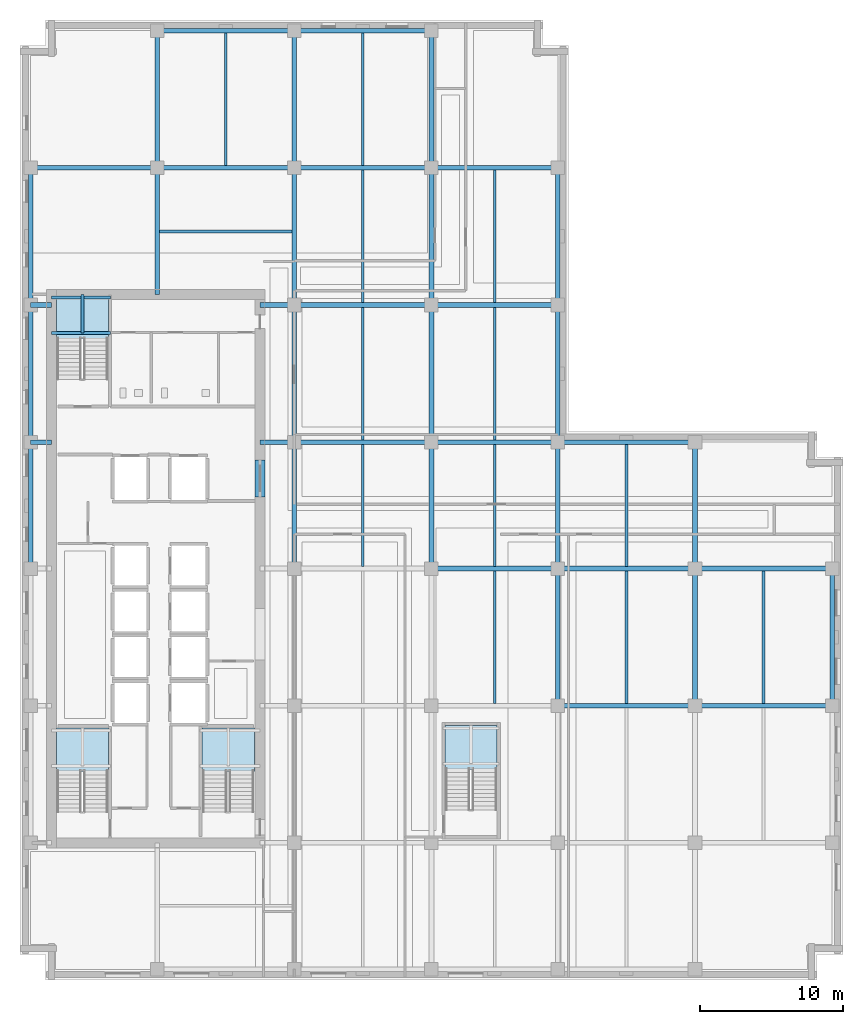
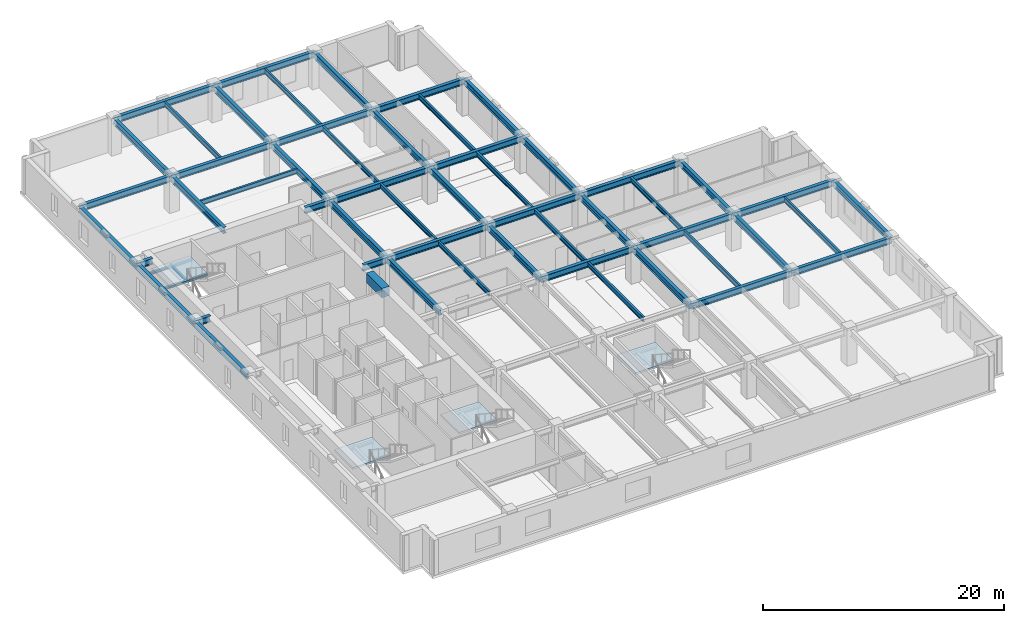
# One storey, part 2 of 14: 57 beams, 4 slabs, 4 elements without a shape of their own.
"""IFC4 building model written with IfcOpenShell, lengths in metres."""

from ifc_helpers import new_model, si_unit, direction, frame, origin, origin_2d, place, context, subcontext, project, spatial, polyline, rectangle, i_section, outline, extrude, material, layer, layer_set, material_profile, profile_set, type_object, element, aggregate, save


model = new_model("IFC4")

# Units and contexts
model_context = context("Model", 3, precision=1e-05, world=origin(), true_north=direction((0.0, 1.0)))
body_context = subcontext(model_context, "Body", "Model", "MODEL_VIEW")
ifc_project = project(units=[si_unit("LENGTHUNIT", "METRE"), si_unit("AREAUNIT", "SQUARE_METRE"), si_unit("VOLUMEUNIT", "CUBIC_METRE"), si_unit("PLANEANGLEUNIT", "RADIAN"), si_unit("MASSUNIT", "GRAM", prefix="KILO")], contexts=[model_context])

# Site, building, storey
site_placement = place(None, origin())
site = spatial("IfcSite", under=ifc_project, at=site_placement, CompositionType="ELEMENT")
building_placement = place(site_placement, origin())
building = spatial("IfcBuilding", under=site, at=building_placement, Name="Norrvale University Quadrangle", CompositionType="ELEMENT")
storey_placement = place(building_placement, frame((0.0, 0.0, 156.0)))
storey = spatial("IfcBuildingStorey", under=building, at=storey_placement, Name="L39", CompositionType="ELEMENT", Elevation=156.0)

# Beams
ifc_material_1 = material(Name="Steel 350W", Category="steel")
ifc_material_profile_1 = material_profile(ifc_material_1, i_section(OverallWidth=0.324951171875, OverallDepth=0.615966796875, WebThickness=0.013916015625, FlangeThickness=0.021484375, FilletRadius=0.01611328125, at=origin_2d()), Name="Steel 350W")
ifc_profile_set_1 = profile_set([ifc_material_profile_1], Name="Steel 350W")
beam_type_1 = type_object("IfcBeamType", Name="Beam Belt W610x174", PredefinedType="BEAM", material=ifc_profile_set_1)
for number, where, z_axis, x_axis, name in (
    (1, (37.64990234375, 19.199951171875, 3.23193359375), (1.0, 0.0, 0.0), (0.0, 1.0, 0.0), "Beam Belt W610x174 BM-L39-GX011"),
    (2, (47.25, 19.199951171875, 3.23193359375), (1.0, 0.0, 0.0), (0.0, 1.0, 0.0), "Beam Belt W610x174 BM-L39-GX012"),
):
    element("IfcBeam", number, at=place(storey_placement, frame(where, z_axis=z_axis, x_axis=x_axis)), inside=storey, type_object=beam_type_1, Name=name, PredefinedType="BEAM", context=body_context, shape_type="SweptSolid", body=[
        extrude(i_section(OverallWidth=0.324951171875, OverallDepth=0.615966796875, WebThickness=0.013916015625, FlangeThickness=0.021484375, FilletRadius=0.01611328125, at=origin_2d()), origin(), (0.0, 0.0, 1.0), 9.60009765625),
    ])
beam_1_placement = place(storey_placement, frame((28.800048828125, 28.800048828125, 3.23193359375), z_axis=(1.0, 0.0, 0.0), x_axis=(0.0, 1.0, 0.0)))
element("IfcBeam", 3, at=beam_1_placement, inside=storey, type_object=beam_type_1, Name="Beam Belt W610x174 BM-L39-GX014", PredefinedType="BEAM", context=body_context, shape_type="SweptSolid", body=[
    extrude(i_section(OverallWidth=0.324951171875, OverallDepth=0.615966796875, WebThickness=0.013916015625, FlangeThickness=0.021484375, FilletRadius=0.01611328125, at=origin_2d()), origin(), (0.0, 0.0, 1.0), 8.849853515625),
])
for number, where, z_axis, x_axis, name in (
    (4, (37.64990234375, 28.800048828125, 3.23193359375), (1.0, 0.0, 0.0), (0.0, 1.0, 0.0), "Beam Belt W610x174 BM-L39-GX015"),
    (5, (47.25, 28.800048828125, 3.23193359375), (1.0, 0.0, 0.0), (0.0, 1.0, 0.0), "Beam Belt W610x174 BM-L39-GX016"),
    (6, (19.199951171875, 37.64990234375, 3.23193359375), (1.0, 0.0, 0.0), (0.0, 1.0, 0.0), "Beam Belt W610x174 BM-L39-GX017"),
):
    element("IfcBeam", number, at=place(storey_placement, frame(where, z_axis=z_axis, x_axis=x_axis)), inside=storey, type_object=beam_type_1, Name=name, PredefinedType="BEAM", context=body_context, shape_type="SweptSolid", body=[
        extrude(i_section(OverallWidth=0.324951171875, OverallDepth=0.615966796875, WebThickness=0.013916015625, FlangeThickness=0.021484375, FilletRadius=0.01611328125, at=origin_2d()), origin(), (0.0, 0.0, 1.0), 9.60009765625),
    ])
beam_2_placement = place(storey_placement, frame((28.800048828125, 37.64990234375, 3.23193359375), z_axis=(1.0, 0.0, 0.0), x_axis=(0.0, 1.0, 0.0)))
element("IfcBeam", 7, at=beam_2_placement, inside=storey, type_object=beam_type_1, Name="Beam Belt W610x174 BM-L39-GX018", PredefinedType="BEAM", context=body_context, shape_type="SweptSolid", body=[
    extrude(i_section(OverallWidth=0.324951171875, OverallDepth=0.615966796875, WebThickness=0.013916015625, FlangeThickness=0.021484375, FilletRadius=0.01611328125, at=origin_2d()), origin(), (0.0, 0.0, 1.0), 8.849853515625),
])
for number, where, z_axis, x_axis, name in (
    (8, (37.64990234375, 37.64990234375, 3.23193359375), (1.0, 0.0, 0.0), (0.0, 1.0, 0.0), "Beam Belt W610x174 BM-L39-GX019"),
    (9, (19.199951171875, 47.25, 3.23193359375), (1.0, 0.0, 0.0), (0.0, 1.0, 0.0), "Beam Belt W610x174 BM-L39-GX020"),
):
    element("IfcBeam", number, at=place(storey_placement, frame(where, z_axis=z_axis, x_axis=x_axis)), inside=storey, type_object=beam_type_1, Name=name, PredefinedType="BEAM", context=body_context, shape_type="SweptSolid", body=[
        extrude(i_section(OverallWidth=0.324951171875, OverallDepth=0.615966796875, WebThickness=0.013916015625, FlangeThickness=0.021484375, FilletRadius=0.01611328125, at=origin_2d()), origin(), (0.0, 0.0, 1.0), 9.60009765625),
    ])
beam_3_placement = place(storey_placement, frame((28.800048828125, 47.25, 3.23193359375), z_axis=(1.0, 0.0, 0.0), x_axis=(0.0, 1.0, 0.0)))
element("IfcBeam", 10, at=beam_3_placement, inside=storey, type_object=beam_type_1, Name="Beam Belt W610x174 BM-L39-GX021", PredefinedType="BEAM", context=body_context, shape_type="SweptSolid", body=[
    extrude(i_section(OverallWidth=0.324951171875, OverallDepth=0.615966796875, WebThickness=0.013916015625, FlangeThickness=0.021484375, FilletRadius=0.01611328125, at=origin_2d()), origin(), (0.0, 0.0, 1.0), 8.849853515625),
])
beam_4_placement = place(storey_placement, frame((0.75, 56.85009765625, 3.23193359375), z_axis=(1.0, 0.0, 0.0), x_axis=(0.0, 1.0, 0.0)))
element("IfcBeam", 11, at=beam_4_placement, inside=storey, type_object=beam_type_1, Name="Beam Belt W610x174 BM-L39-GX022", PredefinedType="BEAM", context=body_context, shape_type="SweptSolid", body=[
    extrude(i_section(OverallWidth=0.324951171875, OverallDepth=0.615966796875, WebThickness=0.013916015625, FlangeThickness=0.021484375, FilletRadius=0.01611328125, at=origin_2d()), origin(), (0.0, 0.0, 1.0), 8.85009765625),
])
beam_5_placement = place(storey_placement, frame((9.60009765625, 56.85009765625, 3.23193359375), z_axis=(1.0, 0.0, 0.0), x_axis=(0.0, 1.0, 0.0)))
element("IfcBeam", 12, at=beam_5_placement, inside=storey, type_object=beam_type_1, Name="Beam Belt W610x174 BM-L39-GX023", PredefinedType="BEAM", context=body_context, shape_type="SweptSolid", body=[
    extrude(i_section(OverallWidth=0.324951171875, OverallDepth=0.615966796875, WebThickness=0.013916015625, FlangeThickness=0.021484375, FilletRadius=0.01611328125, at=origin_2d()), origin(), (0.0, 0.0, 1.0), 9.599853515625),
])
beam_6_placement = place(storey_placement, frame((19.199951171875, 56.85009765625, 3.23193359375), z_axis=(1.0, 0.0, 0.0), x_axis=(0.0, 1.0, 0.0)))
element("IfcBeam", 13, at=beam_6_placement, inside=storey, type_object=beam_type_1, Name="Beam Belt W610x174 BM-L39-GX024", PredefinedType="BEAM", context=body_context, shape_type="SweptSolid", body=[
    extrude(i_section(OverallWidth=0.324951171875, OverallDepth=0.615966796875, WebThickness=0.013916015625, FlangeThickness=0.021484375, FilletRadius=0.01611328125, at=origin_2d()), origin(), (0.0, 0.0, 1.0), 9.60009765625),
])
beam_7_placement = place(storey_placement, frame((28.800048828125, 56.85009765625, 3.23193359375), z_axis=(1.0, 0.0, 0.0), x_axis=(0.0, 1.0, 0.0)))
element("IfcBeam", 14, at=beam_7_placement, inside=storey, type_object=beam_type_1, Name="Beam Belt W610x174 BM-L39-GX025", PredefinedType="BEAM", context=body_context, shape_type="SweptSolid", body=[
    extrude(i_section(OverallWidth=0.324951171875, OverallDepth=0.615966796875, WebThickness=0.013916015625, FlangeThickness=0.021484375, FilletRadius=0.01611328125, at=origin_2d()), origin(), (0.0, 0.0, 1.0), 8.849853515625),
])
beam_8_placement = place(storey_placement, frame((9.60009765625, 66.449951171875, 3.23193359375), z_axis=(1.0, 0.0, 0.0), x_axis=(0.0, 1.0, 0.0)))
element("IfcBeam", 15, at=beam_8_placement, inside=storey, type_object=beam_type_1, Name="Beam Belt W610x174 BM-L39-GX026", PredefinedType="BEAM", context=body_context, shape_type="SweptSolid", body=[
    extrude(i_section(OverallWidth=0.324951171875, OverallDepth=0.615966796875, WebThickness=0.013916015625, FlangeThickness=0.021484375, FilletRadius=0.01611328125, at=origin_2d()), origin(), (0.0, 0.0, 1.0), 9.599853515625),
])
beam_9_placement = place(storey_placement, frame((19.199951171875, 66.449951171875, 3.23193359375), z_axis=(1.0, 0.0, 0.0), x_axis=(0.0, 1.0, 0.0)))
element("IfcBeam", 16, at=beam_9_placement, inside=storey, type_object=beam_type_1, Name="Beam Belt W610x174 BM-L39-GX027", PredefinedType="BEAM", context=body_context, shape_type="SweptSolid", body=[
    extrude(i_section(OverallWidth=0.324951171875, OverallDepth=0.615966796875, WebThickness=0.013916015625, FlangeThickness=0.021484375, FilletRadius=0.01611328125, at=origin_2d()), origin(), (0.0, 0.0, 1.0), 9.60009765625),
])
beam_10_placement = place(storey_placement, frame((0.75, 28.800048828125, 3.23193359375), z_axis=(0.0, 1.0, 0.0), x_axis=(-1.0, 0.0, 0.0)))
element("IfcBeam", 17, at=beam_10_placement, inside=storey, type_object=beam_type_1, Name="Beam Belt W610x174 BM-L39-GY030", PredefinedType="BEAM", context=body_context, shape_type="SweptSolid", body=[
    extrude(i_section(OverallWidth=0.324951171875, OverallDepth=0.615966796875, WebThickness=0.013916015625, FlangeThickness=0.021484375, FilletRadius=0.01611328125, at=origin_2d()), origin(), (0.0, 0.0, 1.0), 8.849853515625),
])
for number, where, z_axis, x_axis, name in (
    (18, (0.75, 37.64990234375, 3.23193359375), (0.0, 1.0, 0.0), (-1.0, 0.0, 0.0), "Beam Belt W610x174 BM-L39-GY031"),
    (19, (0.75, 47.25, 3.23193359375), (0.0, 1.0, 0.0), (-1.0, 0.0, 0.0), "Beam Belt W610x174 BM-L39-GY032"),
):
    element("IfcBeam", number, at=place(storey_placement, frame(where, z_axis=z_axis, x_axis=x_axis)), inside=storey, type_object=beam_type_1, Name=name, PredefinedType="BEAM", context=body_context, shape_type="SweptSolid", body=[
        extrude(i_section(OverallWidth=0.324951171875, OverallDepth=0.615966796875, WebThickness=0.013916015625, FlangeThickness=0.021484375, FilletRadius=0.01611328125, at=origin_2d()), origin(), (0.0, 0.0, 1.0), 9.60009765625),
    ])
beam_11_placement = place(storey_placement, frame((9.60009765625, 56.85009765625, 3.23193359375), z_axis=(0.0, 1.0, 0.0), x_axis=(-1.0, 0.0, 0.0)))
element("IfcBeam", 20, at=beam_11_placement, inside=storey, type_object=beam_type_1, Name="Beam Belt W610x174 BM-L39-GY033", PredefinedType="BEAM", context=body_context, shape_type="SweptSolid", body=[
    extrude(i_section(OverallWidth=0.324951171875, OverallDepth=0.615966796875, WebThickness=0.013916015625, FlangeThickness=0.021484375, FilletRadius=0.01611328125, at=origin_2d()), origin(), (0.0, 0.0, 1.0), 9.599853515625),
])
beam_12_placement = place(storey_placement, frame((19.199951171875, 28.800048828125, 3.23193359375), z_axis=(0.0, 1.0, 0.0), x_axis=(-1.0, 0.0, 0.0)))
element("IfcBeam", 21, at=beam_12_placement, inside=storey, type_object=beam_type_1, Name="Beam Belt W610x174 BM-L39-GY037", PredefinedType="BEAM", context=body_context, shape_type="SweptSolid", body=[
    extrude(i_section(OverallWidth=0.324951171875, OverallDepth=0.615966796875, WebThickness=0.013916015625, FlangeThickness=0.021484375, FilletRadius=0.01611328125, at=origin_2d()), origin(), (0.0, 0.0, 1.0), 8.849853515625),
])
for number, where, z_axis, x_axis, name in (
    (22, (19.199951171875, 37.64990234375, 3.23193359375), (0.0, 1.0, 0.0), (-1.0, 0.0, 0.0), "Beam Belt W610x174 BM-L39-GY038"),
    (23, (19.199951171875, 47.25, 3.23193359375), (0.0, 1.0, 0.0), (-1.0, 0.0, 0.0), "Beam Belt W610x174 BM-L39-GY039"),
):
    element("IfcBeam", number, at=place(storey_placement, frame(where, z_axis=z_axis, x_axis=x_axis)), inside=storey, type_object=beam_type_1, Name=name, PredefinedType="BEAM", context=body_context, shape_type="SweptSolid", body=[
        extrude(i_section(OverallWidth=0.324951171875, OverallDepth=0.615966796875, WebThickness=0.013916015625, FlangeThickness=0.021484375, FilletRadius=0.01611328125, at=origin_2d()), origin(), (0.0, 0.0, 1.0), 9.60009765625),
    ])
beam_13_placement = place(storey_placement, frame((19.199951171875, 56.85009765625, 3.23193359375), z_axis=(0.0, 1.0, 0.0), x_axis=(-1.0, 0.0, 0.0)))
element("IfcBeam", 24, at=beam_13_placement, inside=storey, type_object=beam_type_1, Name="Beam Belt W610x174 BM-L39-GY040", PredefinedType="BEAM", context=body_context, shape_type="SweptSolid", body=[
    extrude(i_section(OverallWidth=0.324951171875, OverallDepth=0.615966796875, WebThickness=0.013916015625, FlangeThickness=0.021484375, FilletRadius=0.01611328125, at=origin_2d()), origin(), (0.0, 0.0, 1.0), 9.599853515625),
])
beam_14_placement = place(storey_placement, frame((28.800048828125, 28.800048828125, 3.23193359375), z_axis=(0.0, 1.0, 0.0), x_axis=(-1.0, 0.0, 0.0)))
element("IfcBeam", 25, at=beam_14_placement, inside=storey, type_object=beam_type_1, Name="Beam Belt W610x174 BM-L39-GY044", PredefinedType="BEAM", context=body_context, shape_type="SweptSolid", body=[
    extrude(i_section(OverallWidth=0.324951171875, OverallDepth=0.615966796875, WebThickness=0.013916015625, FlangeThickness=0.021484375, FilletRadius=0.01611328125, at=origin_2d()), origin(), (0.0, 0.0, 1.0), 8.849853515625),
])
for number, where, z_axis, x_axis, name in (
    (26, (28.800048828125, 37.64990234375, 3.23193359375), (0.0, 1.0, 0.0), (-1.0, 0.0, 0.0), "Beam Belt W610x174 BM-L39-GY045"),
    (27, (28.800048828125, 47.25, 3.23193359375), (0.0, 1.0, 0.0), (-1.0, 0.0, 0.0), "Beam Belt W610x174 BM-L39-GY046"),
):
    element("IfcBeam", number, at=place(storey_placement, frame(where, z_axis=z_axis, x_axis=x_axis)), inside=storey, type_object=beam_type_1, Name=name, PredefinedType="BEAM", context=body_context, shape_type="SweptSolid", body=[
        extrude(i_section(OverallWidth=0.324951171875, OverallDepth=0.615966796875, WebThickness=0.013916015625, FlangeThickness=0.021484375, FilletRadius=0.01611328125, at=origin_2d()), origin(), (0.0, 0.0, 1.0), 9.60009765625),
    ])
beam_15_placement = place(storey_placement, frame((28.800048828125, 56.85009765625, 3.23193359375), z_axis=(0.0, 1.0, 0.0), x_axis=(-1.0, 0.0, 0.0)))
element("IfcBeam", 28, at=beam_15_placement, inside=storey, type_object=beam_type_1, Name="Beam Belt W610x174 BM-L39-GY047", PredefinedType="BEAM", context=body_context, shape_type="SweptSolid", body=[
    extrude(i_section(OverallWidth=0.324951171875, OverallDepth=0.615966796875, WebThickness=0.013916015625, FlangeThickness=0.021484375, FilletRadius=0.01611328125, at=origin_2d()), origin(), (0.0, 0.0, 1.0), 9.599853515625),
])
beam_16_placement = place(storey_placement, frame((37.64990234375, 19.199951171875, 3.23193359375), z_axis=(0.0, 1.0, 0.0), x_axis=(-1.0, 0.0, 0.0)))
element("IfcBeam", 29, at=beam_16_placement, inside=storey, type_object=beam_type_1, Name="Beam Belt W610x174 BM-L39-GY050", PredefinedType="BEAM", context=body_context, shape_type="SweptSolid", body=[
    extrude(i_section(OverallWidth=0.324951171875, OverallDepth=0.615966796875, WebThickness=0.013916015625, FlangeThickness=0.021484375, FilletRadius=0.01611328125, at=origin_2d()), origin(), (0.0, 0.0, 1.0), 9.60009765625),
])
beam_17_placement = place(storey_placement, frame((37.64990234375, 28.800048828125, 3.23193359375), z_axis=(0.0, 1.0, 0.0), x_axis=(-1.0, 0.0, 0.0)))
element("IfcBeam", 30, at=beam_17_placement, inside=storey, type_object=beam_type_1, Name="Beam Belt W610x174 BM-L39-GY051", PredefinedType="BEAM", context=body_context, shape_type="SweptSolid", body=[
    extrude(i_section(OverallWidth=0.324951171875, OverallDepth=0.615966796875, WebThickness=0.013916015625, FlangeThickness=0.021484375, FilletRadius=0.01611328125, at=origin_2d()), origin(), (0.0, 0.0, 1.0), 8.849853515625),
])
for number, where, z_axis, x_axis, name in (
    (31, (37.64990234375, 37.64990234375, 3.23193359375), (0.0, 1.0, 0.0), (-1.0, 0.0, 0.0), "Beam Belt W610x174 BM-L39-GY052"),
    (32, (37.64990234375, 47.25, 3.23193359375), (0.0, 1.0, 0.0), (-1.0, 0.0, 0.0), "Beam Belt W610x174 BM-L39-GY053"),
    (33, (47.25, 19.199951171875, 3.23193359375), (0.0, 1.0, 0.0), (-1.0, 0.0, 0.0), "Beam Belt W610x174 BM-L39-GY056"),
):
    element("IfcBeam", number, at=place(storey_placement, frame(where, z_axis=z_axis, x_axis=x_axis)), inside=storey, type_object=beam_type_1, Name=name, PredefinedType="BEAM", context=body_context, shape_type="SweptSolid", body=[
        extrude(i_section(OverallWidth=0.324951171875, OverallDepth=0.615966796875, WebThickness=0.013916015625, FlangeThickness=0.021484375, FilletRadius=0.01611328125, at=origin_2d()), origin(), (0.0, 0.0, 1.0), 9.60009765625),
    ])
beam_18_placement = place(storey_placement, frame((47.25, 28.800048828125, 3.23193359375), z_axis=(0.0, 1.0, 0.0), x_axis=(-1.0, 0.0, 0.0)))
element("IfcBeam", 34, at=beam_18_placement, inside=storey, type_object=beam_type_1, Name="Beam Belt W610x174 BM-L39-GY057", PredefinedType="BEAM", context=body_context, shape_type="SweptSolid", body=[
    extrude(i_section(OverallWidth=0.324951171875, OverallDepth=0.615966796875, WebThickness=0.013916015625, FlangeThickness=0.021484375, FilletRadius=0.01611328125, at=origin_2d()), origin(), (0.0, 0.0, 1.0), 8.849853515625),
])
beam_19_placement = place(storey_placement, frame((56.85009765625, 19.199951171875, 3.23193359375), z_axis=(0.0, 1.0, 0.0), x_axis=(-1.0, 0.0, 0.0)))
element("IfcBeam", 35, at=beam_19_placement, inside=storey, type_object=beam_type_1, Name="Beam Belt W610x174 BM-L39-GY059", PredefinedType="BEAM", context=body_context, shape_type="SweptSolid", body=[
    extrude(i_section(OverallWidth=0.324951171875, OverallDepth=0.615966796875, WebThickness=0.013916015625, FlangeThickness=0.021484375, FilletRadius=0.01611328125, at=origin_2d()), origin(), (0.0, 0.0, 1.0), 9.60009765625),
])
beam_20_placement = place(storey_placement, frame((0.75, 37.64990234375, 3.23193359375), z_axis=(1.0, 0.0, 0.0), x_axis=(0.0, 1.0, 0.0)))
element("IfcBeam", 36, at=beam_20_placement, inside=storey, type_object=beam_type_1, Name="Beam Belt W610x174 BM-L39-GCW066", PredefinedType="BEAM", context=body_context, shape_type="SweptSolid", body=[
    extrude(i_section(OverallWidth=0.324951171875, OverallDepth=0.615966796875, WebThickness=0.013916015625, FlangeThickness=0.021484375, FilletRadius=0.01611328125, at=origin_2d()), origin(), (0.0, 0.0, 1.0), 1.449951171875),
])
beam_21_placement = place(storey_placement, frame((16.800048828125, 37.64990234375, 3.23193359375), z_axis=(1.0, 0.0, 0.0), x_axis=(0.0, 1.0, 0.0)))
element("IfcBeam", 37, at=beam_21_placement, inside=storey, type_object=beam_type_1, Name="Beam Belt W610x174 BM-L39-GCE067", PredefinedType="BEAM", context=body_context, shape_type="SweptSolid", body=[
    extrude(i_section(OverallWidth=0.324951171875, OverallDepth=0.615966796875, WebThickness=0.013916015625, FlangeThickness=0.021484375, FilletRadius=0.01611328125, at=origin_2d()), origin(), (0.0, 0.0, 1.0), 2.39990234375),
])
beam_22_placement = place(storey_placement, frame((0.75, 47.25, 3.23193359375), z_axis=(1.0, 0.0, 0.0), x_axis=(0.0, 1.0, 0.0)))
element("IfcBeam", 38, at=beam_22_placement, inside=storey, type_object=beam_type_1, Name="Beam Belt W610x174 BM-L39-GCW068", PredefinedType="BEAM", context=body_context, shape_type="SweptSolid", body=[
    extrude(i_section(OverallWidth=0.324951171875, OverallDepth=0.615966796875, WebThickness=0.013916015625, FlangeThickness=0.021484375, FilletRadius=0.01611328125, at=origin_2d()), origin(), (0.0, 0.0, 1.0), 1.449951171875),
])
beam_23_placement = place(storey_placement, frame((16.800048828125, 47.25, 3.23193359375), z_axis=(1.0, 0.0, 0.0), x_axis=(0.0, 1.0, 0.0)))
element("IfcBeam", 39, at=beam_23_placement, inside=storey, type_object=beam_type_1, Name="Beam Belt W610x174 BM-L39-GCE069", PredefinedType="BEAM", context=body_context, shape_type="SweptSolid", body=[
    extrude(i_section(OverallWidth=0.324951171875, OverallDepth=0.615966796875, WebThickness=0.013916015625, FlangeThickness=0.021484375, FilletRadius=0.01611328125, at=origin_2d()), origin(), (0.0, 0.0, 1.0), 2.39990234375),
])
beam_24_placement = place(storey_placement, frame((9.60009765625, 48.0, 3.23193359375), z_axis=(0.0, 1.0, 0.0), x_axis=(-1.0, 0.0, 0.0)))
element("IfcBeam", 40, at=beam_24_placement, inside=storey, type_object=beam_type_1, Name="Beam Belt W610x174 BM-L39-GCN091", PredefinedType="BEAM", context=body_context, shape_type="SweptSolid", body=[
    extrude(i_section(OverallWidth=0.324951171875, OverallDepth=0.615966796875, WebThickness=0.013916015625, FlangeThickness=0.021484375, FilletRadius=0.01611328125, at=origin_2d()), origin(), (0.0, 0.0, 1.0), 8.85009765625),
])
ifc_material_2 = material(Name="Concrete C80/95", Category="concrete")
ifc_material_profile_2 = material_profile(ifc_material_2, rectangle(XDim=0.699951171875, YDim=0.949951171875, at=origin_2d()), Name="Concrete C80/95")
ifc_profile_set_2 = profile_set([ifc_material_profile_2], Name="Concrete C80/95")
beam_type_2 = type_object("IfcBeamType", Name="Beam Core Link 700x950", PredefinedType="LINTEL", material=ifc_profile_set_2)
beam_25_placement = place(storey_placement, frame((16.800048828125, 33.800048828125, 3.06494140625), z_axis=(0.0, 1.0, 0.0), x_axis=(-1.0, 0.0, 0.0)))
element("IfcBeam", 41, at=beam_25_placement, inside=storey, type_object=beam_type_2, Name="Core Coupling Lintel Beam L39-2", PredefinedType="LINTEL", context=body_context, shape_type="SweptSolid", body=[
    extrude(rectangle(XDim=0.699951171875, YDim=0.949951171875, at=origin_2d()), origin(), (0.0, 0.0, 1.0), 2.599853515625),
])
ifc_material_profile_3 = material_profile(ifc_material_1, i_section(OverallWidth=0.194091796875, OverallDepth=0.468994140625, WebThickness=0.0126953125, FlangeThickness=0.0205078125, FilletRadius=0.012939453125, at=origin_2d()), Name="Steel 350W")
ifc_profile_set_3 = profile_set([ifc_material_profile_3], Name="Steel 350W")
beam_type_3 = type_object("IfcBeamType", Name="Beam Floor W460x106", PredefinedType="BEAM", material=ifc_profile_set_3)
beam_26_placement = place(storey_placement, frame((14.39990234375, 57.012451171875, 3.305419921875), z_axis=(0.0, 1.0, 0.0), x_axis=(-1.0, 0.0, 0.0)))
element("IfcBeam", 42, at=beam_26_placement, inside=storey, type_object=beam_type_3, Name="Beam Floor W460x106 BM-L39-J070", PredefinedType="BEAM", context=body_context, shape_type="SweptSolid", body=[
    extrude(i_section(OverallWidth=0.194091796875, OverallDepth=0.468994140625, WebThickness=0.0126953125, FlangeThickness=0.0205078125, FilletRadius=0.012939453125, at=origin_2d()), origin(), (0.0, 0.0, 1.0), 9.275146484375),
])
beam_27_placement = place(storey_placement, frame((24.0, 28.96240234375, 3.305419921875), z_axis=(0.0, 1.0, 0.0), x_axis=(-1.0, 0.0, 0.0)))
element("IfcBeam", 43, at=beam_27_placement, inside=storey, type_object=beam_type_3, Name="Beam Floor W460x106 BM-L39-J074", PredefinedType="BEAM", context=body_context, shape_type="SweptSolid", body=[
    extrude(i_section(OverallWidth=0.194091796875, OverallDepth=0.468994140625, WebThickness=0.0126953125, FlangeThickness=0.0205078125, FilletRadius=0.012939453125, at=origin_2d()), origin(), (0.0, 0.0, 1.0), 8.525146484375),
])
for number, where, z_axis, x_axis, name in (
    (44, (24.0, 37.8125, 3.305419921875), (0.0, 1.0, 0.0), (-1.0, 0.0, 0.0), "Beam Floor W460x106 BM-L39-J075"),
    (45, (24.0, 47.41259765625, 3.305419921875), (0.0, 1.0, 0.0), (-1.0, 0.0, 0.0), "Beam Floor W460x106 BM-L39-J076"),
):
    element("IfcBeam", number, at=place(storey_placement, frame(where, z_axis=z_axis, x_axis=x_axis)), inside=storey, type_object=beam_type_3, Name=name, PredefinedType="BEAM", context=body_context, shape_type="SweptSolid", body=[
        extrude(i_section(OverallWidth=0.194091796875, OverallDepth=0.468994140625, WebThickness=0.0126953125, FlangeThickness=0.0205078125, FilletRadius=0.012939453125, at=origin_2d()), origin(), (0.0, 0.0, 1.0), 9.27490234375),
    ])
beam_28_placement = place(storey_placement, frame((24.0, 57.012451171875, 3.305419921875), z_axis=(0.0, 1.0, 0.0), x_axis=(-1.0, 0.0, 0.0)))
element("IfcBeam", 46, at=beam_28_placement, inside=storey, type_object=beam_type_3, Name="Beam Floor W460x106 BM-L39-J077", PredefinedType="BEAM", context=body_context, shape_type="SweptSolid", body=[
    extrude(i_section(OverallWidth=0.194091796875, OverallDepth=0.468994140625, WebThickness=0.0126953125, FlangeThickness=0.0205078125, FilletRadius=0.012939453125, at=origin_2d()), origin(), (0.0, 0.0, 1.0), 9.275146484375),
])
beam_29_placement = place(storey_placement, frame((33.22509765625, 19.362548828125, 3.305419921875), z_axis=(0.0, 1.0, 0.0), x_axis=(-1.0, 0.0, 0.0)))
element("IfcBeam", 47, at=beam_29_placement, inside=storey, type_object=beam_type_3, Name="Beam Floor W460x106 BM-L39-J079", PredefinedType="BEAM", context=body_context, shape_type="SweptSolid", body=[
    extrude(i_section(OverallWidth=0.194091796875, OverallDepth=0.468994140625, WebThickness=0.0126953125, FlangeThickness=0.0205078125, FilletRadius=0.012939453125, at=origin_2d()), origin(), (0.0, 0.0, 1.0), 9.27490234375),
])
beam_30_placement = place(storey_placement, frame((33.22509765625, 28.96240234375, 3.305419921875), z_axis=(0.0, 1.0, 0.0), x_axis=(-1.0, 0.0, 0.0)))
element("IfcBeam", 48, at=beam_30_placement, inside=storey, type_object=beam_type_3, Name="Beam Floor W460x106 BM-L39-J080", PredefinedType="BEAM", context=body_context, shape_type="SweptSolid", body=[
    extrude(i_section(OverallWidth=0.194091796875, OverallDepth=0.468994140625, WebThickness=0.0126953125, FlangeThickness=0.0205078125, FilletRadius=0.012939453125, at=origin_2d()), origin(), (0.0, 0.0, 1.0), 8.525146484375),
])
for number, where, z_axis, x_axis, name in (
    (49, (33.22509765625, 37.8125, 3.305419921875), (0.0, 1.0, 0.0), (-1.0, 0.0, 0.0), "Beam Floor W460x106 BM-L39-J081"),
    (50, (33.22509765625, 47.41259765625, 3.305419921875), (0.0, 1.0, 0.0), (-1.0, 0.0, 0.0), "Beam Floor W460x106 BM-L39-J082"),
    (51, (42.449951171875, 19.362548828125, 3.305419921875), (0.0, 1.0, 0.0), (-1.0, 0.0, 0.0), "Beam Floor W460x106 BM-L39-J085"),
):
    element("IfcBeam", number, at=place(storey_placement, frame(where, z_axis=z_axis, x_axis=x_axis)), inside=storey, type_object=beam_type_3, Name=name, PredefinedType="BEAM", context=body_context, shape_type="SweptSolid", body=[
        extrude(i_section(OverallWidth=0.194091796875, OverallDepth=0.468994140625, WebThickness=0.0126953125, FlangeThickness=0.0205078125, FilletRadius=0.012939453125, at=origin_2d()), origin(), (0.0, 0.0, 1.0), 9.27490234375),
    ])
beam_31_placement = place(storey_placement, frame((42.449951171875, 28.96240234375, 3.305419921875), z_axis=(0.0, 1.0, 0.0), x_axis=(-1.0, 0.0, 0.0)))
element("IfcBeam", 52, at=beam_31_placement, inside=storey, type_object=beam_type_3, Name="Beam Floor W460x106 BM-L39-J086", PredefinedType="BEAM", context=body_context, shape_type="SweptSolid", body=[
    extrude(i_section(OverallWidth=0.194091796875, OverallDepth=0.468994140625, WebThickness=0.0126953125, FlangeThickness=0.0205078125, FilletRadius=0.012939453125, at=origin_2d()), origin(), (0.0, 0.0, 1.0), 8.525146484375),
])
beam_32_placement = place(storey_placement, frame((52.050048828125, 19.362548828125, 3.305419921875), z_axis=(0.0, 1.0, 0.0), x_axis=(-1.0, 0.0, 0.0)))
element("IfcBeam", 53, at=beam_32_placement, inside=storey, type_object=beam_type_3, Name="Beam Floor W460x106 BM-L39-J088", PredefinedType="BEAM", context=body_context, shape_type="SweptSolid", body=[
    extrude(i_section(OverallWidth=0.194091796875, OverallDepth=0.468994140625, WebThickness=0.0126953125, FlangeThickness=0.0205078125, FilletRadius=0.012939453125, at=origin_2d()), origin(), (0.0, 0.0, 1.0), 9.27490234375),
])
beam_33_placement = place(storey_placement, frame((9.762451171875, 52.39990234375, 3.305419921875), z_axis=(1.0, 0.0, 0.0), x_axis=(0.0, 1.0, 0.0)))
element("IfcBeam", 54, at=beam_33_placement, inside=storey, type_object=beam_type_3, Name="Beam Floor W460x106 BM-L39-JCN092", PredefinedType="BEAM", context=body_context, shape_type="SweptSolid", body=[
    extrude(i_section(OverallWidth=0.194091796875, OverallDepth=0.468994140625, WebThickness=0.0126953125, FlangeThickness=0.0205078125, FilletRadius=0.012939453125, at=origin_2d()), origin(), (0.0, 0.0, 1.0), 9.275146484375),
])
ifc_material_profile_4 = material_profile(ifc_material_1, i_section(OverallWidth=0.201904296875, OverallDepth=0.2470703125, WebThickness=0.00732421875, FlangeThickness=0.010986328125, FilletRadius=0.011962890625, at=origin_2d()), Name="Steel 350W")
ifc_profile_set_4 = profile_set([ifc_material_profile_4], Name="Steel 350W")
beam_type_4 = type_object("IfcBeamType", Name="Beam Stair W250x49", PredefinedType="BEAM", material=ifc_profile_set_4)
for number, where, z_axis, x_axis, name in (
    (55, (2.199951171875, 45.2900390625, 1.576416015625), (1.0, 0.0, 0.0), (0.0, 1.0, 0.0), "Stair Mid-Landing Front Beam ST-02 L39"),
    (56, (2.199951171875, 47.77001953125, 1.576416015625), (1.0, 0.0, 0.0), (0.0, 1.0, 0.0), "Stair Mid-Landing Rear Beam ST-02 L39"),
):
    element("IfcBeam", number, at=place(storey_placement, frame(where, z_axis=z_axis, x_axis=x_axis)), inside=storey, type_object=beam_type_4, Name=name, PredefinedType="BEAM", context=body_context, shape_type="SweptSolid", body=[
        extrude(i_section(OverallWidth=0.201904296875, OverallDepth=0.2470703125, WebThickness=0.00732421875, FlangeThickness=0.010986328125, FilletRadius=0.011962890625, at=origin_2d()), origin(), (0.0, 0.0, 1.0), 4.14013671875),
    ])
ifc_material_profile_5 = material_profile(ifc_material_1, i_section(OverallWidth=0.202880859375, OverallDepth=0.202880859375, WebThickness=0.007080078125, FlangeThickness=0.010986328125, FilletRadius=0.010009765625, at=origin_2d()), Name="Steel 350W")
ifc_profile_set_5 = profile_set([ifc_material_profile_5], Name="Steel 350W")
beam_type_5 = type_object("IfcBeamType", Name="Beam Trim W200x46", PredefinedType="BEAM", material=ifc_profile_set_5)
beam_34_placement = place(storey_placement, frame((4.375, 45.2900390625, 1.598388671875), z_axis=(0.0, 1.0, 0.0), x_axis=(-1.0, 0.0, 0.0)))
element("IfcBeam", 57, at=beam_34_placement, inside=storey, type_object=beam_type_5, Name="Stair Mid-Landing Cross Beam ST-02 L39", PredefinedType="BEAM", context=body_context, shape_type="SweptSolid", body=[
    extrude(i_section(OverallWidth=0.202880859375, OverallDepth=0.202880859375, WebThickness=0.007080078125, FlangeThickness=0.010986328125, FilletRadius=0.010009765625, at=origin_2d()), origin(), (0.0, 0.0, 1.0), 2.7099609375),
])

# Stair, slab
ifc_material_3 = material(Name="Concrete C40/50", Category="concrete")
stair_type = type_object("IfcStairType", Name="Stair Tower Typ 3800", PredefinedType="TWO_STRAIGHT_RUN_STAIR", material=ifc_material_3)
stair_1_placement = place(storey_placement, origin())
stair_1 = element("IfcStair", 58, at=stair_1_placement, inside=storey, type_object=stair_type, Name="Exit Stair ST-01 L39", PredefinedType="TWO_STRAIGHT_RUN_STAIR")
ifc_layer = layer(ifc_material_3, 0.199951171875, Name="Concrete C40/50")
ifc_layer_set = layer_set([ifc_layer], Name="Concrete C40/50")
slab_type = type_object("IfcSlabType", Name="Slab Landing 200", PredefinedType="LANDING", material=ifc_layer_set)
slab_1_placement = place(storey_placement, frame((0.0, 0.0, 1.699951171875)))
slab_1 = element("IfcSlab", 59, at=slab_1_placement, type_object=slab_type, Name="Exit Stair ST-01 L39 Mid Landing", PredefinedType="LANDING", context=body_context, shape_type="SweptSolid", body=[
    extrude(outline(polyline([(2.550048828125, 14.590087890625), (6.199951171875, 14.590087890625), (6.199951171875, 17.64990234375), (2.550048828125, 17.64990234375), (2.550048828125, 14.590087890625)])), origin(), (0.0, 0.0, 1.0), 0.199951171875),
])
aggregate(stair_1, [slab_1])

stair_2_placement = place(storey_placement, origin())
stair_2 = element("IfcStair", 60, at=stair_2_placement, inside=storey, type_object=stair_type, Name="Exit Stair ST-02 L39", PredefinedType="TWO_STRAIGHT_RUN_STAIR")
slab_2_placement = place(storey_placement, frame((0.0, 0.0, 1.699951171875)))
slab_2 = element("IfcSlab", 61, at=slab_2_placement, type_object=slab_type, Name="Exit Stair ST-02 L39 Mid Landing", PredefinedType="LANDING", context=body_context, shape_type="SweptSolid", body=[
    extrude(outline(polyline([(2.550048828125, 44.889892578125), (6.199951171875, 44.889892578125), (6.199951171875, 47.949951171875), (2.550048828125, 47.949951171875), (2.550048828125, 44.889892578125)])), origin(), (0.0, 0.0, 1.0), 0.199951171875),
])
aggregate(stair_2, [slab_2])

stair_3_placement = place(storey_placement, origin())
stair_3 = element("IfcStair", 62, at=stair_3_placement, inside=storey, type_object=stair_type, Name="Exit Stair ST-03 L39", PredefinedType="TWO_STRAIGHT_RUN_STAIR")
slab_3_placement = place(storey_placement, frame((0.0, 0.0, 1.699951171875)))
slab_3 = element("IfcSlab", 63, at=slab_3_placement, type_object=slab_type, Name="Exit Stair ST-03 L39 Mid Landing", PredefinedType="LANDING", context=body_context, shape_type="SweptSolid", body=[
    extrude(outline(polyline([(12.75, 14.590087890625), (16.39990234375, 14.590087890625), (16.39990234375, 17.64990234375), (12.75, 17.64990234375), (12.75, 14.590087890625)])), origin(), (0.0, 0.0, 1.0), 0.199951171875),
])
aggregate(stair_3, [slab_3])

stair_4_placement = place(storey_placement, origin())
stair_4 = element("IfcStair", 64, at=stair_4_placement, inside=storey, type_object=stair_type, Name="Exit Stair ST-04 L39", PredefinedType="TWO_STRAIGHT_RUN_STAIR")
slab_4_placement = place(storey_placement, frame((0.0, 0.0, 1.699951171875)))
slab_4 = element("IfcSlab", 65, at=slab_4_placement, type_object=slab_type, Name="Exit Stair ST-04 L39 Mid Landing", PredefinedType="LANDING", context=body_context, shape_type="SweptSolid", body=[
    extrude(outline(polyline([(29.75, 14.739990234375), (33.39990234375, 14.739990234375), (33.39990234375, 17.800048828125), (29.75, 17.800048828125), (29.75, 14.739990234375)])), origin(), (0.0, 0.0, 1.0), 0.199951171875),
])
aggregate(stair_4, [slab_4])

save(model, "model.ifc")
